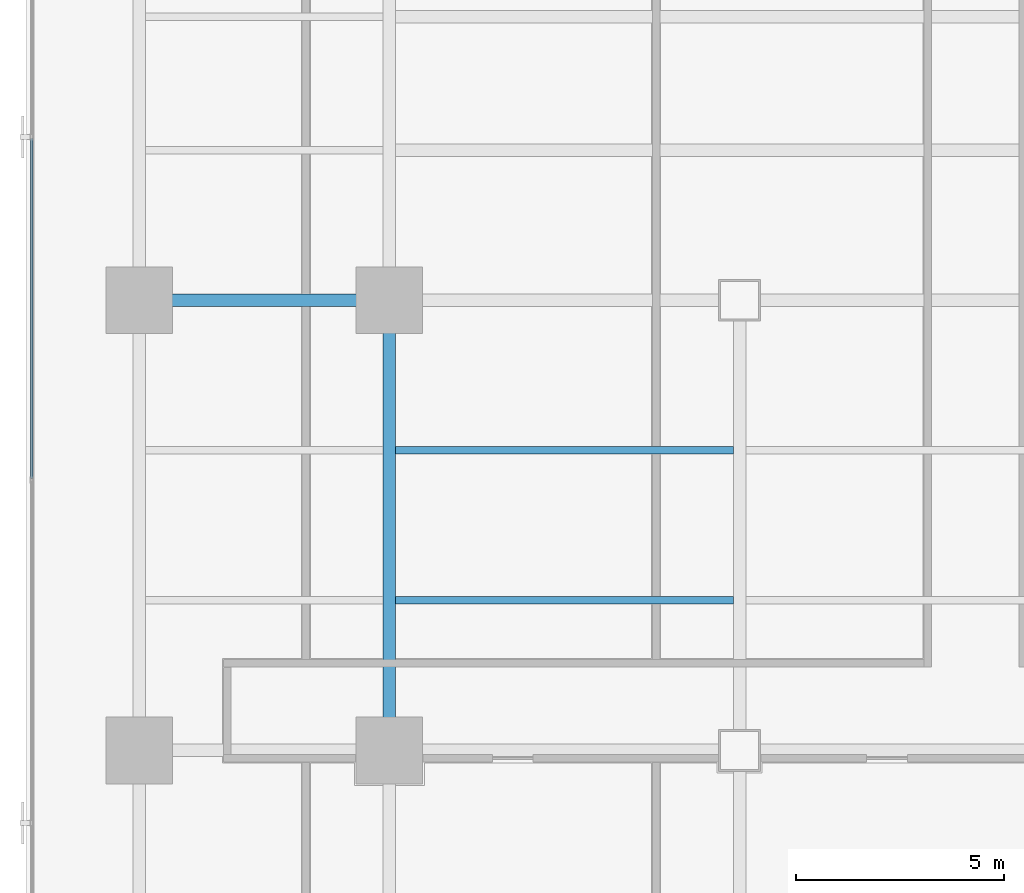
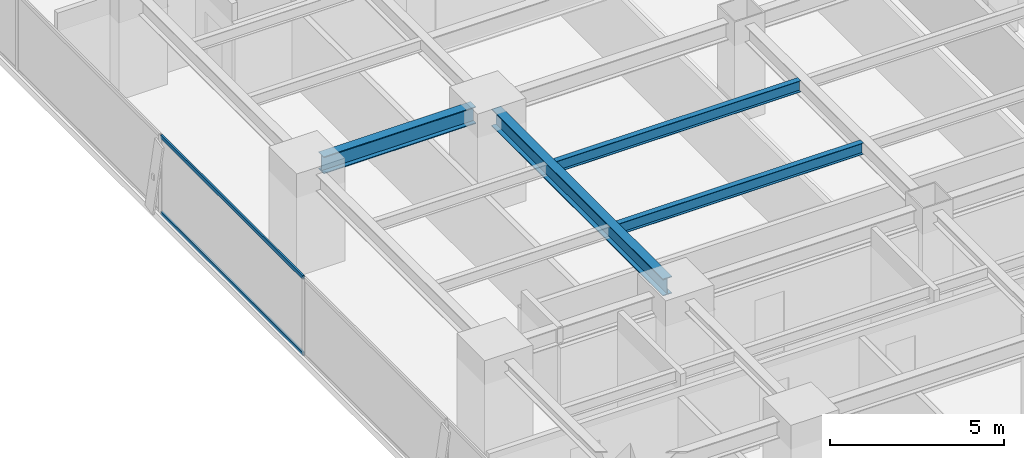
# One storey, part 9 of 37: 4 beams, 2 members, 1 element without a shape of its own.
"""IFC4 building model written with IfcOpenShell, lengths in metres."""

from ifc_helpers import new_model, si_unit, direction, frame, origin, origin_2d, place, context, subcontext, project, spatial, hollow_rectangle, i_section, extrude, source, transform, mapped, material, layer, layer_set, material_profile, profile_set, type_object, element, aggregate, save


model = new_model("IFC4")

# Units and contexts
model_context = context("Model", 3, precision=1e-05, world=origin(), true_north=direction((0.0, 1.0)))
body_context = subcontext(model_context, "Body", "Model", "MODEL_VIEW")
ifc_project = project(units=[si_unit("LENGTHUNIT", "METRE"), si_unit("AREAUNIT", "SQUARE_METRE"), si_unit("VOLUMEUNIT", "CUBIC_METRE"), si_unit("PLANEANGLEUNIT", "RADIAN"), si_unit("MASSUNIT", "GRAM", prefix="KILO")], contexts=[model_context])

# Site, building, storey
site_placement = place(None, origin())
site = spatial("IfcSite", under=ifc_project, at=site_placement, CompositionType="ELEMENT")
building_placement = place(site_placement, origin())
building = spatial("IfcBuilding", under=site, at=building_placement, Name="Sumidabori Civic Tower", CompositionType="ELEMENT")
storey_placement = place(building_placement, frame((0.0, 0.0, 117.199951171875)))
storey = spatial("IfcBuildingStorey", under=building, at=storey_placement, Name="L30", CompositionType="ELEMENT", Elevation=117.199951171875)

# Beams
ifc_material_1 = material(Name="Steel SN490", Category="steel")
ifc_material_profile_1 = material_profile(ifc_material_1, i_section(OverallWidth=0.300048828125, OverallDepth=0.60009765625, WebThickness=0.015380859375, FlangeThickness=0.030029296875, at=origin_2d()), Name="HE 600 B")
ifc_profile_set_1 = profile_set([ifc_material_profile_1], Name="Steel SN490")
beam_type_1 = type_object("IfcBeamType", Name="BM-GIRD-600", PredefinedType="BEAM", material=ifc_profile_set_1)
shared_shape_1 = source(origin(), body_context, "Body", "SweptSolid", [
    extrude(i_section(OverallWidth=0.300048828125, OverallDepth=0.60009765625, WebThickness=0.015380859375, FlangeThickness=0.030029296875, at=origin_2d()), origin(), (0.0, 0.0, 1.0), 5.0400390625),
])
beam_1_placement = place(storey_placement, frame((-22.320068359375, 0.0, 3.06005859375), z_axis=(1.0, 0.0, 0.0), x_axis=(0.0, 1.0, 0.0)))
element("IfcBeam", 1, at=beam_1_placement, inside=storey, type_object=beam_type_1, Name="Primary Girder L30 GX-13", PredefinedType="BEAM", context=body_context, shape_type="MappedRepresentation", body=[
    mapped(shared_shape_1, transform((0.0, 0.0, 0.0), x_axis=(1.0, 0.0, 0.0), y_axis=(0.0, 1.0, 0.0), z_axis=(0.0, 0.0, 1.0), scale=1.0)),
])
shared_shape_2 = source(origin(), body_context, "Body", "SweptSolid", [
    extrude(i_section(OverallWidth=0.300048828125, OverallDepth=0.60009765625, WebThickness=0.015380859375, FlangeThickness=0.030029296875, at=origin_2d()), origin(), (0.0, 0.0, 1.0), 9.840087890625),
])
beam_2_placement = place(storey_placement, frame((-16.800048828125, -10.320068359375, 3.06005859375), z_axis=(0.0, 1.0, 0.0), x_axis=(-1.0, 0.0, 0.0)))
element("IfcBeam", 2, at=beam_2_placement, inside=storey, type_object=beam_type_1, Name="Primary Girder L30 GY-26", PredefinedType="BEAM", context=body_context, shape_type="MappedRepresentation", body=[
    mapped(shared_shape_2, transform((0.0, 0.0, 0.0), x_axis=(1.0, 0.0, 0.0), y_axis=(0.0, 1.0, 0.0), z_axis=(0.0, 0.0, 1.0), scale=1.0)),
])
ifc_material_profile_2 = material_profile(ifc_material_1, i_section(OverallWidth=0.179931640625, OverallDepth=0.39990234375, WebThickness=0.008544921875, FlangeThickness=0.013427734375, at=origin_2d()), Name="IPE 400")
ifc_profile_set_2 = profile_set([ifc_material_profile_2], Name="Steel SN490")
beam_type_2 = type_object("IfcBeamType", Name="BM-JST-400", PredefinedType="JOIST", material=ifc_profile_set_2)
shared_shape_3 = source(origin(), body_context, "Body", "SweptSolid", [
    extrude(i_section(OverallWidth=0.179931640625, OverallDepth=0.39990234375, WebThickness=0.008544921875, FlangeThickness=0.013427734375, at=origin_2d()), origin(), (0.0, 0.0, 1.0), 8.099853515625),
])
for number, where, z_axis, x_axis, name in (
    (3, (-16.64990234375, -7.199951171875, 3.16015625), (1.0, 0.0, 0.0), (0.0, 1.0, 0.0), "South Bay Floor Joist L30 JSTS-59"),
    (4, (-16.64990234375, -3.60009765625, 3.16015625), (1.0, 0.0, 0.0), (0.0, 1.0, 0.0), "South Bay Floor Joist L30 JSTS-63"),
):
    element("IfcBeam", number, at=place(storey_placement, frame(where, z_axis=z_axis, x_axis=x_axis)), inside=storey, type_object=beam_type_2, Name=name, PredefinedType="JOIST", context=body_context, shape_type="MappedRepresentation", body=[
        mapped(shared_shape_3, transform((0.0, 0.0, 0.0), x_axis=(1.0, 0.0, 0.0), y_axis=(0.0, 1.0, 0.0), z_axis=(0.0, 0.0, 1.0), scale=1.0)),
    ])

# Curtain wall, members
ifc_material_2 = material(Name="Anodised Bronze Aluminium AW-6063-T6", Category="aluminium")
ifc_layer = layer(ifc_material_2, 0.179931640625, Name="Anodised Bronze Aluminium AW-6063-T6")
ifc_layer_set = layer_set([ifc_layer], Name="Anodised Bronze Aluminium AW-6063-T6")
curtain_wall_type = type_object("IfcCurtainWallType", Name="CW-SYS-3", PredefinedType="NOTDEFINED", material=ifc_layer_set)
curtain_wall_placement = place(storey_placement, origin())
curtain_wall = element("IfcCurtainWall", 5, at=curtain_wall_placement, inside=storey, type_object=curtain_wall_type, Name="Curtain Wall CW:L30:R10", PredefinedType="NOTDEFINED")
ifc_material_profile_3 = material_profile(ifc_material_2, hollow_rectangle(XDim=0.06005859375, YDim=0.1298828125, WallThickness=0.0048828125, at=origin_2d()), Name="ALU TRANSOM 130x60")
ifc_profile_set_3 = profile_set([ifc_material_profile_3], Name="Anodised Bronze Aluminium AW-6063-T6")
member_type = type_object("IfcMemberType", Name="CW-TRN-130", PredefinedType="USERDEFINED", material=ifc_profile_set_3)
shared_shape_4 = source(origin(), body_context, "Body", "SweptSolid", [
    extrude(hollow_rectangle(XDim=0.06005859375, YDim=0.1298828125, WallThickness=0.0048828125, at=origin_2d()), origin(), (0.0, 0.0, 1.0), 8.1630859375),
])
member_1_placement = place(storey_placement, frame((-25.3798828125, 3.881591796875, 0.030029296875), z_axis=(0.0, -1.0, 0.0), x_axis=(1.0, 0.0, 0.0)))
member_1 = element("IfcMember", 6, at=member_1_placement, type_object=member_type, Name="CW-3 transom 3.1", ObjectType="TRANSOM", PredefinedType="USERDEFINED", context=body_context, shape_type="MappedRepresentation", body=[
    mapped(shared_shape_4, transform((0.0, 0.0, 0.0), x_axis=(1.0, 0.0, 0.0), y_axis=(0.0, 1.0, 0.0), z_axis=(0.0, 0.0, 1.0), scale=1.0)),
])
member_2_placement = place(storey_placement, frame((-25.3798828125, 3.881591796875, 2.7099609375), z_axis=(0.0, -1.0, 0.0), x_axis=(1.0, 0.0, 0.0)))
member_2 = element("IfcMember", 7, at=member_2_placement, type_object=member_type, Name="CW-3 transom 3.2", ObjectType="TRANSOM", PredefinedType="USERDEFINED", context=body_context, shape_type="MappedRepresentation", body=[
    mapped(shared_shape_4, transform((0.0, 0.0, 0.0), x_axis=(1.0, 0.0, 0.0), y_axis=(0.0, 1.0, 0.0), z_axis=(0.0, 0.0, 1.0), scale=1.0)),
])
aggregate(curtain_wall, [member_1, member_2])

save(model, "model.ifc")
